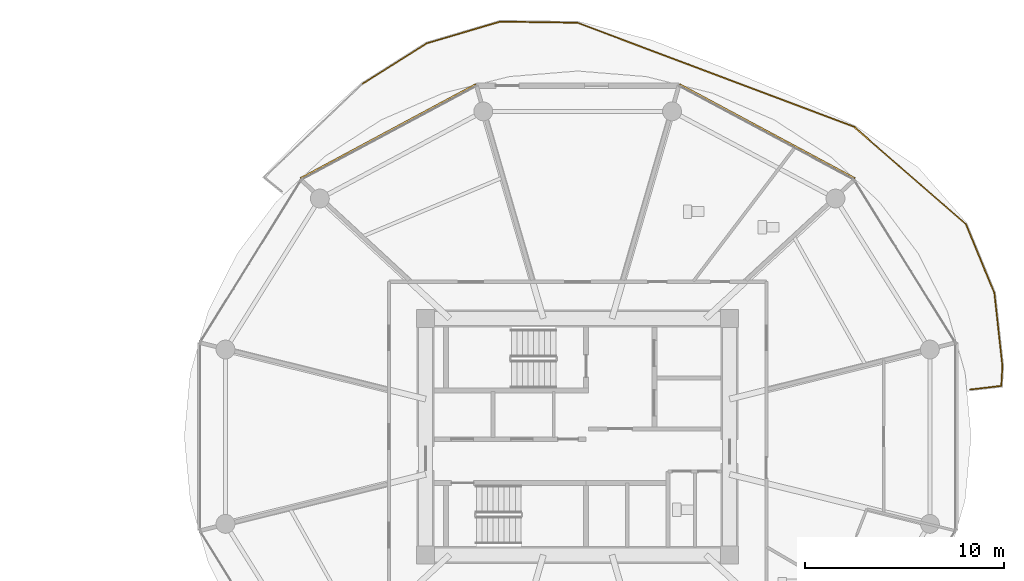
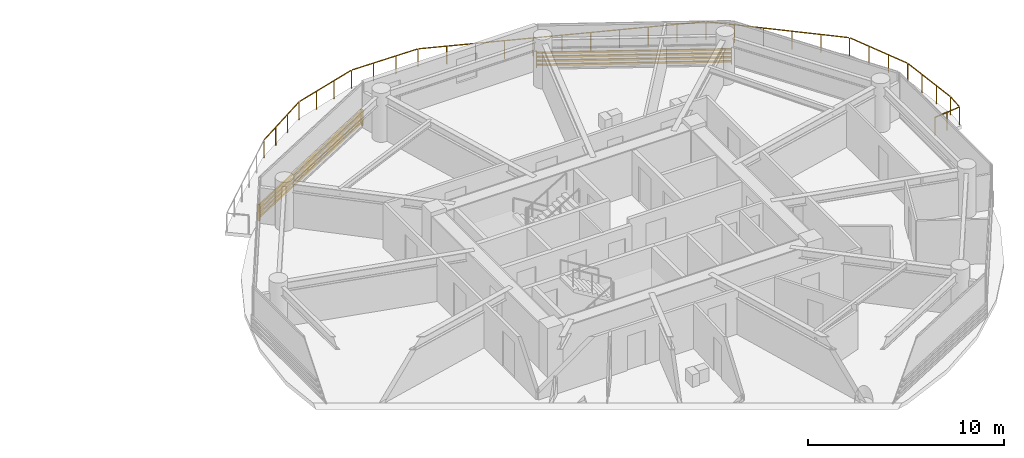
# One storey, part 26 of 27: 2 shading devices, 1 railing.
"""IFC4 building model written with IfcOpenShell, lengths in metres."""

import ifcopenshell
import ifcopenshell.guid

model = None  # the IFC model being written
_history = None  # IfcOwnerHistory: only IFC2X3 demands one
_inside = {}  # id of a spatial element -> (the spatial element, [elements in it])
_under = {}  # id of a project, library or spatial element -> (it, [spatial elements below it])
_declared = {}  # id of a project -> (the project, [libraries it declares])
_typed = {}  # id of a type object -> (the type object, [elements of that type])
_made_of = {}  # id of a material, layer set ... -> (it, [elements and type objects made of it])


def new_model(schema):
    """Start an empty IFC model of exactly this schema.

    Asked for "IFC4X3", IfcOpenShell would pick the latest addendum, in which some entities
    have other attributes; the version numbers below select the first issue.
    IFC2X3 requires an IfcOwnerHistory on every rooted entity: one is made here for all.
    """
    global model, _history
    if schema == "IFC4X3":
        model = ifcopenshell.file(schema_version=(4, 3, 0, 0))
    else:
        model = ifcopenshell.file(schema=schema)
    _inside.clear()
    _under.clear()
    _declared.clear()
    _typed.clear()
    _made_of.clear()
    _history = None
    if model.schema == "IFC2X3":
        org = make("IfcOrganization", Name="unknown")
        user = make(
            "IfcPersonAndOrganization",
            ThePerson=make("IfcPerson", FamilyName="unknown"),
            TheOrganization=org,
        )
        app = make(
            "IfcApplication",
            ApplicationDeveloper=org,
            Version="unknown",
            ApplicationFullName="unknown",
            ApplicationIdentifier="unknown",
        )
        _history = make(
            "IfcOwnerHistory",
            OwningUser=user,
            OwningApplication=app,
            ChangeAction="ADDED",
            CreationDate=0,
        )
    return model


def make(cls, **values):
    """One entity of the class cls with the attributes given. An attribute that is None is left unset."""
    return model.create_entity(
        cls, **{name: value for name, value in values.items() if value is not None}
    )


def rooted(cls, **values):
    """An entity with a GlobalId (a new one), such as an element, a storey or a relation."""
    return make(cls, GlobalId=ifcopenshell.guid.new(), OwnerHistory=_history, **values)


def si_unit(unit_type, name, prefix=None):
    """IfcSIUnit, for example si_unit("LENGTHUNIT", "METRE", prefix="MILLI")."""
    return make("IfcSIUnit", UnitType=unit_type, Prefix=prefix, Name=name)


def assignment(units):
    """IfcUnitAssignment: the units of a project."""
    return None if units is None else make("IfcUnitAssignment", Units=units)


def point(xyz):
    """IfcCartesianPoint."""
    return None if xyz is None else make("IfcCartesianPoint", Coordinates=xyz)


def direction(xyz):
    """IfcDirection."""
    return None if xyz is None else make("IfcDirection", DirectionRatios=xyz)


def frame(location, z_axis=None, x_axis=None):
    """IfcAxis2Placement3D, a coordinate frame: its origin and axes. An axis left out is left unset."""
    return make(
        "IfcAxis2Placement3D",
        Location=point(location),
        Axis=direction(z_axis),
        RefDirection=direction(x_axis),
    )


def frame_2d(location, x_axis=None):
    """IfcAxis2Placement2D, a coordinate frame in the plane: its origin and x axis."""
    return make(
        "IfcAxis2Placement2D", Location=point(location), RefDirection=direction(x_axis)
    )


def origin():
    """The frame at (0, 0, 0) with its axes left unset."""
    return frame((0.0, 0.0, 0.0))


def origin_2d():
    """The frame at (0, 0) in the plane with its x axis left unset."""
    return frame_2d((0.0, 0.0))


def place(relative_to, where):
    """IfcLocalPlacement: puts the frame where relative to a parent placement (None: the world)."""
    return make(
        "IfcLocalPlacement", PlacementRelTo=relative_to, RelativePlacement=where
    )


def context(
    kind, dimensions, precision=None, world=None, true_north=None, identifier=None
):
    """IfcGeometricRepresentationContext, for example the 3D "Model" context."""
    return make(
        "IfcGeometricRepresentationContext",
        ContextIdentifier=identifier,
        ContextType=kind,
        CoordinateSpaceDimension=dimensions,
        Precision=precision,
        WorldCoordinateSystem=world,
        TrueNorth=true_north,
    )


def subcontext(parent, identifier, kind, view, scale=None):
    """IfcGeometricRepresentationSubContext, for example "Body" below "Model"."""
    return make(
        "IfcGeometricRepresentationSubContext",
        ContextIdentifier=identifier,
        ContextType=kind,
        ParentContext=parent,
        TargetScale=scale,
        TargetView=view,
    )


def project(units=None, contexts=None):
    """IfcProject with its units and contexts."""
    return rooted(
        "IfcProject",
        Name="project",
        RepresentationContexts=contexts,
        UnitsInContext=assignment(units),
    )


def spatial(cls, under=None, at=None, **own):
    """A site, building, storey or space (cls), placed at a placement, below another one or the project."""
    s = rooted(cls, ObjectPlacement=at, **own)
    if under is not None:
        _under.setdefault(under.id(), (under, []))[1].append(s)
    return s


def profile(cls, at=None, kind="AREA", **sizes):
    """A parametric profile (cls). Its sizes go by their IFC names, for example OverallWidth=200.0."""
    return make(cls, ProfileType=kind, Position=at, **sizes)


def rectangle(**sizes):
    """IfcRectangleProfileDef."""
    return profile("IfcRectangleProfileDef", **sizes)


def extrude(swept, where, along, depth):
    """IfcExtrudedAreaSolid: the profile swept, set in the frame where, extruded along a direction by depth."""
    return make(
        "IfcExtrudedAreaSolid",
        SweptArea=swept,
        Position=where,
        ExtrudedDirection=direction(along),
        Depth=depth,
    )


def shape(context_of_items, identifier, shape_type, items):
    """IfcShapeRepresentation: the items that make up one representation, for example the "Body"."""
    return make(
        "IfcShapeRepresentation",
        ContextOfItems=context_of_items,
        RepresentationIdentifier=identifier,
        RepresentationType=shape_type,
        Items=items,
    )


def source(mapping_origin, context_of_items, identifier, shape_type, items):
    """IfcRepresentationMap: a shape defined once, which mapped items show again and again."""
    return make(
        "IfcRepresentationMap",
        MappingOrigin=mapping_origin,
        MappedRepresentation=shape(context_of_items, identifier, shape_type, items),
    )


def transform(
    local_origin,
    x_axis=None,
    y_axis=None,
    z_axis=None,
    scale=None,
    scale2=None,
    scale3=None,
    uniform=True,
):
    """IfcCartesianTransformationOperator3D, or its non-uniform kind. x_axis, y_axis, z_axis: its Axis1, 2, 3."""
    if uniform:
        return make(
            "IfcCartesianTransformationOperator3D",
            Axis1=direction(x_axis),
            Axis2=direction(y_axis),
            LocalOrigin=point(local_origin),
            Scale=scale,
            Axis3=direction(z_axis),
        )
    return make(
        "IfcCartesianTransformationOperator3DnonUniform",
        Axis1=direction(x_axis),
        Axis2=direction(y_axis),
        LocalOrigin=point(local_origin),
        Scale=scale,
        Axis3=direction(z_axis),
        Scale2=scale2,
        Scale3=scale3,
    )


def mapped(mapping_source, mapping_target):
    """IfcMappedItem: shows the shape of a source again, moved by a transform."""
    return make(
        "IfcMappedItem", MappingSource=mapping_source, MappingTarget=mapping_target
    )


def material(Name=None, Category=None):
    """IfcMaterial."""
    return make("IfcMaterial", Name=Name, Category=Category)


def made_of(thing, what):
    """Note that an element or type object is made of a material, layer set ...; save() writes the relation."""
    if what is not None:
        _made_of.setdefault(what.id(), (what, []))[1].append(thing)
    return thing


def type_object(cls, material=None, **own):
    """A type object (cls), such as IfcWallType, which elements share."""
    return made_of(rooted(cls, **own), material)


def type_shapes(of_type, sources):
    """Give a type object the sources (RepresentationMaps) that its elements show as mapped items."""
    of_type.RepresentationMaps = sources


def element(
    cls,
    number,
    at=None,
    inside=None,
    cuts=None,
    type_object=None,
    material=None,
    context=None,
    identifier="Body",
    shape_type=None,
    held_by="IfcProductDefinitionShape",
    body=None,
    shapes=None,
    **own,
):
    """One element of the class cls, such as IfcWall. Its Tag is "e" and its number.

    at: its placement. inside: the storey or other place that contains it. cuts: it is an
    opening in that element (IfcRelVoidsElement). A single representation is given by context,
    identifier, shape_type and body (its items); several are given by shapes. held_by: the class
    of the entity that holds the representations. save() writes the other relations.
    """
    e = rooted(cls, Tag="e%d" % number, ObjectPlacement=at, **own)
    if body is not None:
        shapes = [shape(context, identifier, shape_type, body)]
    if shapes is not None:
        e.Representation = make(held_by, Representations=shapes)
    if inside is not None:
        _inside.setdefault(inside.id(), (inside, []))[1].append(e)
    if cuts is not None:
        rooted(
            "IfcRelVoidsElement", RelatingBuildingElement=cuts, RelatedOpeningElement=e
        )
    if type_object is not None:
        _typed.setdefault(type_object.id(), (type_object, []))[1].append(e)
    return made_of(e, material)


def aggregate(whole, parts):
    """IfcRelAggregates: a whole, such as a stair, and the parts it consists of."""
    return rooted("IfcRelAggregates", RelatingObject=whole, RelatedObjects=parts)


def save(model, path):
    """Write the relations noted so far, then the file.

    IfcRelAggregates (storeys below a building ...), IfcRelContainedInSpatialStructure (elements
    in a storey), IfcRelDefinesByType, IfcRelAssociatesMaterial and IfcRelDeclares: one each for
    every whole, place, type object, material and project.
    """
    for whole, parts in _under.values():
        aggregate(whole, parts)
    for where, things in _inside.values():
        rooted(
            "IfcRelContainedInSpatialStructure",
            RelatedElements=things,
            RelatingStructure=where,
        )
    for kind, things in _typed.values():
        rooted("IfcRelDefinesByType", RelatedObjects=things, RelatingType=kind)
    for what, things in _made_of.values():
        rooted("IfcRelAssociatesMaterial", RelatedObjects=things, RelatingMaterial=what)
    for by, libraries in _declared.values():
        rooted("IfcRelDeclares", RelatingContext=by, RelatedDefinitions=libraries)
    model.write(path)


model = new_model("IFC4")

# Units and contexts
model_context = context("Model", 3, precision=1e-05, world=origin(), true_north=direction((0.0, 1.0)))
body_context = subcontext(model_context, "Body", "Model", "MODEL_VIEW")
ifc_project = project(units=[si_unit("LENGTHUNIT", "METRE"), si_unit("AREAUNIT", "SQUARE_METRE"), si_unit("VOLUMEUNIT", "CUBIC_METRE"), si_unit("PLANEANGLEUNIT", "RADIAN"), si_unit("MASSUNIT", "GRAM", prefix="KILO")], contexts=[model_context])

# Site, building, storey
site_placement = place(None, origin())
site = spatial("IfcSite", under=ifc_project, at=site_placement, CompositionType="ELEMENT")
building_placement = place(site_placement, origin())
building = spatial("IfcBuilding", under=site, at=building_placement, Name="Norrkilde Senior Care Towers", CompositionType="ELEMENT")
storey_placement = place(building_placement, frame((0.0, 0.0, 52.10009765625)))
storey = spatial("IfcBuildingStorey", under=building, at=storey_placement, Name="L15", CompositionType="ELEMENT", Elevation=52.10009765625)

# Railing
ifc_material_1 = material(Name="Anodised Aluminium", Category="aluminium")
railing_type = type_object("IfcRailingType", Name="Balcony Swirl Ribbon Guardrail 1150", PredefinedType="GUARDRAIL", material=ifc_material_1)
railing_placement = place(storey_placement, frame((17.143798828125, 17.743408203125, 0.0)))
element("IfcRailing", 1, at=railing_placement, inside=storey, type_object=railing_type, Name="L15 Perimeter Safety Guard 01", PredefinedType="GUARDRAIL", context=body_context, shape_type="SweptSolid", body=[
    extrude(rectangle(XDim=0.048095703125, YDim=0.048095703125, at=origin_2d()), frame((0.0, 0.0, 1.1259765625), z_axis=(0.845664161587, 0.533715397762, 0.0), x_axis=(-0.533715397762, 0.845664161587, 0.0)), (0.0, 0.0, 1.0), 3.7978515625),
    extrude(rectangle(XDim=0.048095703125, YDim=0.048095703125, at=origin_2d()), frame((3.28564453125, 2.060302734375, 1.1259765625), z_axis=(0.958975280401, 0.283489702775, 0.0), x_axis=(-0.283489702775, 0.958975280401, 0.0)), (0.0, 0.0, 1.0), 3.792724609375),
    extrude(rectangle(XDim=0.048095703125, YDim=0.048095703125, at=origin_2d()), frame((7.002685546875, 3.146728515625, 1.1259765625), z_axis=(0.99988902687, -0.014897447625, 0.0), x_axis=(0.014897447625, 0.99988902687, 0.0)), (0.0, 0.0, 1.0), 3.80224609375),
    extrude(rectangle(XDim=0.048095703125, YDim=0.048095703125, at=origin_2d()), frame((10.8837890625, 3.074951171875, 1.1259765625), z_axis=(0.935953636543, -0.352123260013, 0.0), x_axis=(0.352123260013, 0.935953636543, 0.0)), (0.0, 0.0, 1.0), 14.793701171875),
    extrude(rectangle(XDim=0.048095703125, YDim=0.048095703125, at=origin_2d()), frame((24.799072265625, -2.175537109375, 1.1259765625), z_axis=(0.753832931831, -0.657066138899, 0.0), x_axis=(0.657066138899, 0.753832931831, 0.0)), (0.0, 0.0, 1.0), 7.38623046875),
    extrude(rectangle(XDim=0.048095703125, YDim=0.048095703125, at=origin_2d()), frame((30.41357421875, -7.093505859375, 1.1259765625), z_axis=(0.381796508353, -0.924246409898, 0.0), x_axis=(0.924246409898, 0.381796508353, 0.0)), (0.0, 0.0, 1.0), 3.65966796875),
    extrude(rectangle(XDim=0.048095703125, YDim=0.048095703125, at=origin_2d()), frame((31.830810546875, -10.55419921875, 1.1259765625), z_axis=(0.109624996174, -0.99397301785, 0.0), x_axis=(0.99397301785, 0.109624996174, 0.0)), (0.0, 0.0, 1.0), 3.606201171875),
    extrude(rectangle(XDim=0.048095703125, YDim=0.048095703125, at=origin_2d()), frame((32.228515625, -14.22021484375, 1.1259765625), z_axis=(-0.056340495467, -0.998411612798, 0.0), x_axis=(0.998411612798, -0.056340495467, 0.0)), (0.0, 0.0, 1.0), 0.927978515625),
    extrude(rectangle(XDim=0.048095703125, YDim=0.048095703125, at=origin_2d()), frame((32.13330078125, -15.192138671875, 1.1259765625), z_axis=(-0.993327684766, -0.115326105789, 0.0), x_axis=(0.115326105789, -0.993327684766, 0.0)), (0.0, 0.0, 1.0), 1.52978515625),
    extrude(rectangle(XDim=0.0419921875, YDim=0.0419921875, at=origin_2d()), origin(), (0.0, 0.0, 1.0), 1.099853515625),
    extrude(rectangle(XDim=0.0419921875, YDim=0.0419921875, at=origin_2d()), frame((1.08203125, 0.682861328125, 0.0)), (0.0, 0.0, 1.0), 1.099853515625),
    extrude(rectangle(XDim=0.0419921875, YDim=0.0419921875, at=origin_2d()), frame((2.164306640625, 1.365966796875, 0.0)), (0.0, 0.0, 1.0), 1.099853515625),
    extrude(rectangle(XDim=0.0419921875, YDim=0.0419921875, at=origin_2d()), frame((3.246337890625, 2.048828125, 0.0)), (0.0, 0.0, 1.0), 1.099853515625),
    extrude(rectangle(XDim=0.0419921875, YDim=0.0419921875, at=origin_2d()), frame((4.48486328125, 2.4150390625, 0.0)), (0.0, 0.0, 1.0), 1.099853515625),
    extrude(rectangle(XDim=0.0419921875, YDim=0.0419921875, at=origin_2d()), frame((5.723388671875, 2.781005859375, 0.0)), (0.0, 0.0, 1.0), 1.099853515625),
    extrude(rectangle(XDim=0.0419921875, YDim=0.0419921875, at=origin_2d()), frame((6.9619140625, 3.147216796875, 0.0)), (0.0, 0.0, 1.0), 1.099853515625),
    extrude(rectangle(XDim=0.0419921875, YDim=0.0419921875, at=origin_2d()), frame((8.25634765625, 3.1279296875, 0.0)), (0.0, 0.0, 1.0), 1.099853515625),
    extrude(rectangle(XDim=0.0419921875, YDim=0.0419921875, at=origin_2d()), frame((9.551025390625, 3.108642578125, 0.0)), (0.0, 0.0, 1.0), 1.099853515625),
    extrude(rectangle(XDim=0.0419921875, YDim=0.0419921875, at=origin_2d()), frame((10.845458984375, 3.08935546875, 0.0)), (0.0, 0.0, 1.0), 1.099853515625),
    extrude(rectangle(XDim=0.0419921875, YDim=0.0419921875, at=origin_2d()), frame((12.23779296875, 2.5654296875, 0.0)), (0.0, 0.0, 1.0), 1.099853515625),
    extrude(rectangle(XDim=0.0419921875, YDim=0.0419921875, at=origin_2d()), frame((13.630126953125, 2.041748046875, 0.0)), (0.0, 0.0, 1.0), 1.099853515625),
    extrude(rectangle(XDim=0.0419921875, YDim=0.0419921875, at=origin_2d()), frame((15.022216796875, 1.51806640625, 0.0)), (0.0, 0.0, 1.0), 1.099853515625),
    extrude(rectangle(XDim=0.0419921875, YDim=0.0419921875, at=origin_2d()), frame((16.41455078125, 0.994140625, 0.0)), (0.0, 0.0, 1.0), 1.099853515625),
    extrude(rectangle(XDim=0.0419921875, YDim=0.0419921875, at=origin_2d()), frame((17.806884765625, 0.47021484375, 0.0)), (0.0, 0.0, 1.0), 1.099853515625),
    extrude(rectangle(XDim=0.0419921875, YDim=0.0419921875, at=origin_2d()), frame((19.19921875, -0.053466796875, 0.0)), (0.0, 0.0, 1.0), 1.099853515625),
    extrude(rectangle(XDim=0.0419921875, YDim=0.0419921875, at=origin_2d()), frame((20.591552734375, -0.5771484375, 0.0)), (0.0, 0.0, 1.0), 1.099853515625),
    extrude(rectangle(XDim=0.0419921875, YDim=0.0419921875, at=origin_2d()), frame((21.983642578125, -1.10107421875, 0.0)), (0.0, 0.0, 1.0), 1.099853515625),
    extrude(rectangle(XDim=0.0419921875, YDim=0.0419921875, at=origin_2d()), frame((23.3759765625, -1.625, 0.0)), (0.0, 0.0, 1.0), 1.099853515625),
    extrude(rectangle(XDim=0.0419921875, YDim=0.0419921875, at=origin_2d()), frame((24.768310546875, -2.148681640625, 0.0)), (0.0, 0.0, 1.0), 1.099853515625),
    extrude(rectangle(XDim=0.0419921875, YDim=0.0419921875, at=origin_2d()), frame((25.894287109375, -3.130126953125, 0.0)), (0.0, 0.0, 1.0), 1.099853515625),
    extrude(rectangle(XDim=0.0419921875, YDim=0.0419921875, at=origin_2d()), frame((27.020263671875, -4.111572265625, 0.0)), (0.0, 0.0, 1.0), 1.099853515625),
    extrude(rectangle(XDim=0.0419921875, YDim=0.0419921875, at=origin_2d()), frame((28.14599609375, -5.0927734375, 0.0)), (0.0, 0.0, 1.0), 1.099853515625),
    extrude(rectangle(XDim=0.0419921875, YDim=0.0419921875, at=origin_2d()), frame((29.27197265625, -6.07421875, 0.0)), (0.0, 0.0, 1.0), 1.099853515625),
    extrude(rectangle(XDim=0.0419921875, YDim=0.0419921875, at=origin_2d()), frame((30.39794921875, -7.0556640625, 0.0)), (0.0, 0.0, 1.0), 1.099853515625),
    extrude(rectangle(XDim=0.0419921875, YDim=0.0419921875, at=origin_2d()), frame((30.8740234375, -8.208251953125, 0.0)), (0.0, 0.0, 1.0), 1.099853515625),
    extrude(rectangle(XDim=0.0419921875, YDim=0.0419921875, at=origin_2d()), frame((31.350341796875, -9.361083984375, 0.0)), (0.0, 0.0, 1.0), 1.099853515625),
    extrude(rectangle(XDim=0.0419921875, YDim=0.0419921875, at=origin_2d()), frame((31.826416015625, -10.513671875, 0.0)), (0.0, 0.0, 1.0), 1.099853515625),
    extrude(rectangle(XDim=0.0419921875, YDim=0.0419921875, at=origin_2d()), frame((31.961181640625, -11.735595703125, 0.0)), (0.0, 0.0, 1.0), 1.099853515625),
    extrude(rectangle(XDim=0.0419921875, YDim=0.0419921875, at=origin_2d()), frame((32.095947265625, -12.95751953125, 0.0)), (0.0, 0.0, 1.0), 1.099853515625),
    extrude(rectangle(XDim=0.0419921875, YDim=0.0419921875, at=origin_2d()), frame((32.230712890625, -14.179443359375, 0.0)), (0.0, 0.0, 1.0), 1.099853515625),
    extrude(rectangle(XDim=0.0419921875, YDim=0.0419921875, at=origin_2d()), frame((32.173828125, -15.1875, 0.0)), (0.0, 0.0, 1.0), 1.099853515625),
    extrude(rectangle(XDim=0.0419921875, YDim=0.0419921875, at=origin_2d()), frame((31.3935546875, -15.278076171875, 0.0)), (0.0, 0.0, 1.0), 1.099853515625),
    extrude(rectangle(XDim=0.0419921875, YDim=0.0419921875, at=origin_2d()), frame((30.613525390625, -15.36865234375, 0.0)), (0.0, 0.0, 1.0), 1.099853515625),
])

# Shading devices
ifc_material_2 = material(Name="Architectural Terracotta", Category="masonry")
shading_device_type = type_object("IfcShadingDeviceType", Name="Horizontal Terracotta Baguette Rack", PredefinedType="USERDEFINED", material=ifc_material_2)
shared_shape = source(origin(), body_context, "Body", "SweptSolid", [
    extrude(rectangle(XDim=0.070068359375, YDim=0.110107421875, at=origin_2d()), frame((0.0, 0.090087890625, 0.125), z_axis=(1.0, 0.0, 0.0), x_axis=(0.0, 1.0, 0.0)), (0.0, 0.0, 1.0), 10.0107421875),
    extrude(rectangle(XDim=0.070068359375, YDim=0.110107421875, at=origin_2d()), frame((0.0, 0.090087890625, 0.375), z_axis=(1.0, 0.0, 0.0), x_axis=(0.0, 1.0, 0.0)), (0.0, 0.0, 1.0), 10.0107421875),
    extrude(rectangle(XDim=0.070068359375, YDim=0.110107421875, at=origin_2d()), frame((0.0, 0.090087890625, 0.625), z_axis=(1.0, 0.0, 0.0), x_axis=(0.0, 1.0, 0.0)), (0.0, 0.0, 1.0), 10.0107421875),
    extrude(rectangle(XDim=0.070068359375, YDim=0.110107421875, at=origin_2d()), frame((0.0, 0.090087890625, 0.875), z_axis=(1.0, 0.0, 0.0), x_axis=(0.0, 1.0, 0.0)), (0.0, 0.0, 1.0), 10.0107421875),
    extrude(rectangle(XDim=0.050048828125, YDim=0.1552734375, at=origin_2d()), frame((0.02490234375, 0.047607421875, 0.0)), (0.0, 0.0, 1.0), 1.0),
    extrude(rectangle(XDim=0.050048828125, YDim=0.1552734375, at=origin_2d()), frame((9.98583984375, 0.047607421875, 0.0)), (0.0, 0.0, 1.0), 1.0),
])
type_shapes(shading_device_type, [shared_shape])
for number, where, z_axis, x_axis, name in (
    (2, (33.093505859375, 17.6572265625, 0.079833984375), (0.0, 0.0, 1.0), (0.881279875134, -0.472612428056, 0.0), "L15 Drum E Terracotta Baguette Screen 01"),
    (3, (14.084228515625, 12.926025390625, 0.079833984375), (0.0, 0.0, 1.0), (0.881279875134, 0.472612428056, 0.0), "L15 Drum E Terracotta Baguette Screen 03"),
):
    element("IfcShadingDevice", number, at=place(storey_placement, frame(where, z_axis=z_axis, x_axis=x_axis)), inside=storey, type_object=shading_device_type, Name=name, ObjectType="BAGUETTE", PredefinedType="USERDEFINED", context=body_context, shape_type="MappedRepresentation", body=[
        mapped(shared_shape, transform((0.0, 0.0, 0.0), x_axis=(1.0, 0.0, 0.0), y_axis=(0.0, 1.0, 0.0), z_axis=(0.0, 0.0, 1.0), scale=1.0)),
    ])

save(model, "model.ifc")
